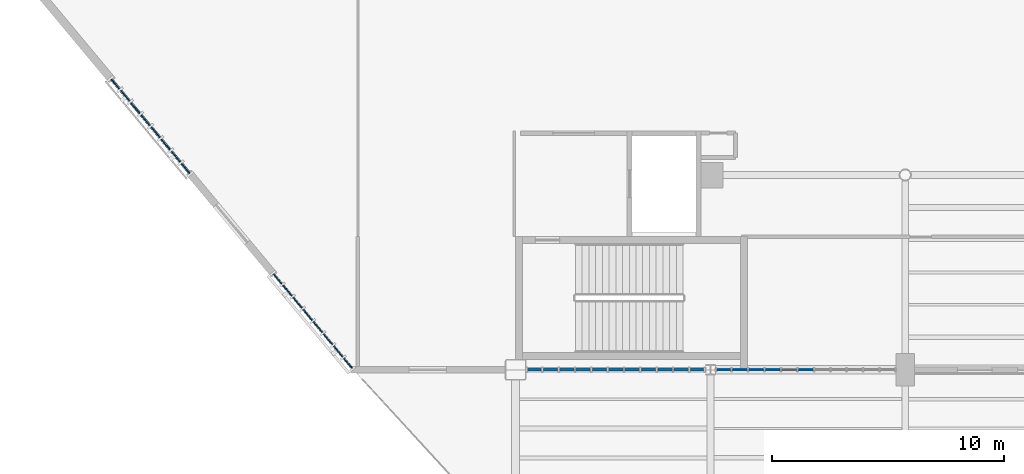
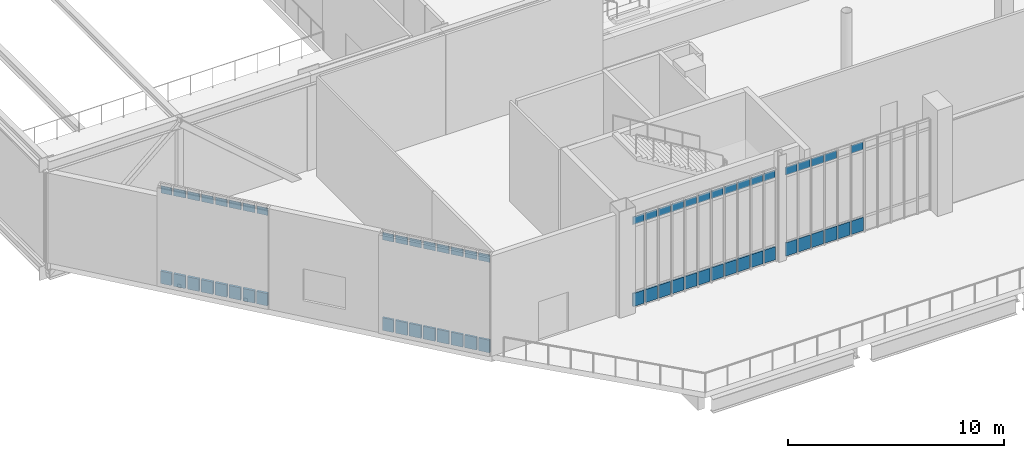
# One storey, part 82 of 135: 65 plates, 4 elements without a shape of their own.
"""IFC4 building model written with IfcOpenShell, lengths in metres."""

from ifc_helpers import new_model, si_unit, direction, frame, origin, origin_2d, place, context, subcontext, project, spatial, rectangle, extrude, material, layer, layer_set, type_object, element, aggregate, save


model = new_model("IFC4")

# Units and contexts
model_context = context("Model", 3, precision=1e-05, world=origin(), true_north=direction((0.0, 1.0)))
body_context = subcontext(model_context, "Body", "Model", "MODEL_VIEW")
ifc_project = project(units=[si_unit("LENGTHUNIT", "METRE"), si_unit("AREAUNIT", "SQUARE_METRE"), si_unit("VOLUMEUNIT", "CUBIC_METRE"), si_unit("PLANEANGLEUNIT", "RADIAN"), si_unit("MASSUNIT", "GRAM", prefix="KILO")], contexts=[model_context])

# Site, building, storey
site_placement = place(None, origin())
site = spatial("IfcSite", under=ifc_project, at=site_placement, CompositionType="ELEMENT")
building_placement = place(site_placement, origin())
building = spatial("IfcBuilding", under=site, at=building_placement, Name="Larkvane Passage Sports Hall", CompositionType="ELEMENT")
storey_placement = place(building_placement, frame((0.0, 0.0, 10.800048828125)))
storey = spatial("IfcBuildingStorey", under=building, at=storey_placement, Name="L02", CompositionType="ELEMENT", Elevation=10.800048828125)

# Curtain wall, plates
ifc_material_1 = material(Name="Thermally broken aluminium and low-E glazing", Category="aluminium")
curtain_wall_type_1 = type_object("IfcCurtainWallType", Name="CW-STICK-FOYER", PredefinedType="USERDEFINED", material=ifc_material_1)
curtain_wall_1_placement = place(storey_placement, origin())
curtain_wall_1 = element("IfcCurtainWall", 1, at=curtain_wall_1_placement, inside=storey, type_object=curtain_wall_type_1, Name="Curtain wall CW5-L02-090", ObjectType="STICK CURTAIN WALL", PredefinedType="USERDEFINED")
ifc_material_2 = material(Name="Fire-stopped shadow-box spandrel panel")
ifc_layer_1 = layer(ifc_material_2, 0.10498046875)
ifc_layer_set_1 = layer_set([ifc_layer_1], Name="Fire-stopped shadow-box spandrel panel")
plate_type_1 = type_object("IfcPlateType", Name="CWP-SPD-105", PredefinedType="CURTAIN_PANEL", material=ifc_layer_set_1)
plate_1_placement = place(storey_placement, frame((27.56689453125, 23.079833984375, 0.08984375), z_axis=(0.0, 0.0, 1.0), x_axis=(-0.640184399661, 0.7682212796, 0.0)))
plate_1 = element("IfcPlate", 2, at=plate_1_placement, type_object=plate_type_1, Name="CW-03 panel 1.1", PredefinedType="CURTAIN_PANEL", context=body_context, shape_type="SweptSolid", body=[
    extrude(rectangle(XDim=0.54833984375, YDim=0.10498046875, at=origin_2d()), origin(), (0.0, 0.0, 1.0), 0.715087890625),
])
plate_2_placement = place(storey_placement, frame((27.143798828125, 23.58740234375, 0.08984375), z_axis=(0.0, 0.0, 1.0), x_axis=(-0.640184399661, 0.7682212796, 0.0)))
plate_2 = element("IfcPlate", 3, at=plate_2_placement, type_object=plate_type_1, Name="CW-03 panel 2.1", PredefinedType="CURTAIN_PANEL", context=body_context, shape_type="SweptSolid", body=[
    extrude(rectangle(XDim=0.593505859375, YDim=0.10498046875, at=origin_2d()), origin(), (0.0, 0.0, 1.0), 0.715087890625),
])
plate_3_placement = place(storey_placement, frame((26.706298828125, 24.112548828125, 0.08984375), z_axis=(0.0, 0.0, 1.0), x_axis=(-0.640184399661, 0.7682212796, 0.0)))
plate_3 = element("IfcPlate", 4, at=plate_3_placement, type_object=plate_type_1, Name="CW-03 panel 3.1", PredefinedType="CURTAIN_PANEL", context=body_context, shape_type="SweptSolid", body=[
    extrude(rectangle(XDim=0.593505859375, YDim=0.10498046875, at=origin_2d()), origin(), (0.0, 0.0, 1.0), 0.715087890625),
])
plate_4_placement = place(storey_placement, frame((26.268798828125, 24.637451171875, 0.08984375), z_axis=(0.0, 0.0, 1.0), x_axis=(-0.640184399661, 0.7682212796, 0.0)))
plate_4 = element("IfcPlate", 5, at=plate_4_placement, type_object=plate_type_1, Name="CW-03 panel 4.1", PredefinedType="CURTAIN_PANEL", context=body_context, shape_type="SweptSolid", body=[
    extrude(rectangle(XDim=0.593505859375, YDim=0.10498046875, at=origin_2d()), origin(), (0.0, 0.0, 1.0), 0.715087890625),
])
plate_5_placement = place(storey_placement, frame((25.831298828125, 25.16259765625, 0.08984375), z_axis=(0.0, 0.0, 1.0), x_axis=(-0.640184399661, 0.7682212796, 0.0)))
plate_5 = element("IfcPlate", 6, at=plate_5_placement, type_object=plate_type_1, Name="CW-03 panel 5.1", PredefinedType="CURTAIN_PANEL", context=body_context, shape_type="SweptSolid", body=[
    extrude(rectangle(XDim=0.593505859375, YDim=0.10498046875, at=origin_2d()), origin(), (0.0, 0.0, 1.0), 0.715087890625),
])
plate_6_placement = place(storey_placement, frame((25.393798828125, 25.6875, 0.08984375), z_axis=(0.0, 0.0, 1.0), x_axis=(-0.640184399661, 0.7682212796, 0.0)))
plate_6 = element("IfcPlate", 7, at=plate_6_placement, type_object=plate_type_1, Name="CW-03 panel 6.1", PredefinedType="CURTAIN_PANEL", context=body_context, shape_type="SweptSolid", body=[
    extrude(rectangle(XDim=0.593505859375, YDim=0.10498046875, at=origin_2d()), origin(), (0.0, 0.0, 1.0), 0.715087890625),
])
plate_7_placement = place(storey_placement, frame((24.956298828125, 26.21240234375, 0.08984375), z_axis=(0.0, 0.0, 1.0), x_axis=(-0.640184399661, 0.7682212796, 0.0)))
plate_7 = element("IfcPlate", 8, at=plate_7_placement, type_object=plate_type_1, Name="CW-03 panel 7.1", PredefinedType="CURTAIN_PANEL", context=body_context, shape_type="SweptSolid", body=[
    extrude(rectangle(XDim=0.593505859375, YDim=0.10498046875, at=origin_2d()), origin(), (0.0, 0.0, 1.0), 0.715087890625),
])
plate_8_placement = place(storey_placement, frame((24.533203125, 26.72021484375, 0.08984375), z_axis=(0.0, 0.0, 1.0), x_axis=(-0.640184399661, 0.7682212796, 0.0)))
plate_8 = element("IfcPlate", 9, at=plate_8_placement, type_object=plate_type_1, Name="CW-03 panel 8.1", PredefinedType="CURTAIN_PANEL", context=body_context, shape_type="SweptSolid", body=[
    extrude(rectangle(XDim=0.54833984375, YDim=0.10498046875, at=origin_2d()), origin(), (0.0, 0.0, 1.0), 0.715087890625),
])

curtain_wall_type_2 = type_object("IfcCurtainWallType", Name="CW-CLINIC", PredefinedType="USERDEFINED", material=ifc_material_1)
curtain_wall_2_placement = place(storey_placement, origin())
curtain_wall_2 = element("IfcCurtainWall", 10, at=curtain_wall_2_placement, inside=storey, type_object=curtain_wall_type_2, Name="Curtain wall CW5-L02-091", ObjectType="UNITISED CURTAIN WALL", PredefinedType="USERDEFINED")
ifc_material_3 = material(Name="Deep insulated facade spandrel panel")
ifc_layer_2 = layer(ifc_material_3, 0.125)
ifc_layer_set_2 = layer_set([ifc_layer_2], Name="Deep insulated facade spandrel panel")
plate_type_2 = type_object("IfcPlateType", Name="CWP-SPD-125", PredefinedType="CURTAIN_PANEL", material=ifc_layer_set_2)
plate_9_placement = place(storey_placement, frame((20.565185546875, 31.481689453125, 0.10009765625), z_axis=(0.0, 0.0, 1.0), x_axis=(-0.640184399661, 0.7682212796, 0.0)))
plate_9 = element("IfcPlate", 11, at=plate_9_placement, type_object=plate_type_2, Name="CW-05 panel 1.1", PredefinedType="CURTAIN_PANEL", context=body_context, shape_type="SweptSolid", body=[
    extrude(rectangle(XDim=0.533447265625, YDim=0.125, at=origin_2d()), origin(), (0.0, 0.0, 1.0), 0.699951171875),
])
plate_10_placement = place(storey_placement, frame((20.143798828125, 31.987548828125, 0.10009765625), z_axis=(0.0, 0.0, 1.0), x_axis=(-0.640184399661, 0.7682212796, 0.0)))
plate_10 = element("IfcPlate", 12, at=plate_10_placement, type_object=plate_type_2, Name="CW-05 panel 2.1", PredefinedType="CURTAIN_PANEL", context=body_context, shape_type="SweptSolid", body=[
    extrude(rectangle(XDim=0.58349609375, YDim=0.125, at=origin_2d()), origin(), (0.0, 0.0, 1.0), 0.699951171875),
])
plate_11_placement = place(storey_placement, frame((19.706298828125, 32.512451171875, 0.10009765625), z_axis=(0.0, 0.0, 1.0), x_axis=(-0.640184399661, 0.7682212796, 0.0)))
plate_11 = element("IfcPlate", 13, at=plate_11_placement, type_object=plate_type_2, Name="CW-05 panel 3.1", PredefinedType="CURTAIN_PANEL", context=body_context, shape_type="SweptSolid", body=[
    extrude(rectangle(XDim=0.58349609375, YDim=0.125, at=origin_2d()), origin(), (0.0, 0.0, 1.0), 0.699951171875),
])
plate_12_placement = place(storey_placement, frame((19.268798828125, 33.03759765625, 0.10009765625), z_axis=(0.0, 0.0, 1.0), x_axis=(-0.640184399661, 0.7682212796, 0.0)))
plate_12 = element("IfcPlate", 14, at=plate_12_placement, type_object=plate_type_2, Name="CW-05 panel 4.1", PredefinedType="CURTAIN_PANEL", context=body_context, shape_type="SweptSolid", body=[
    extrude(rectangle(XDim=0.58349609375, YDim=0.125, at=origin_2d()), origin(), (0.0, 0.0, 1.0), 0.699951171875),
])
plate_13_placement = place(storey_placement, frame((18.831298828125, 33.5625, 0.10009765625), z_axis=(0.0, 0.0, 1.0), x_axis=(-0.640184399661, 0.7682212796, 0.0)))
plate_13 = element("IfcPlate", 15, at=plate_13_placement, type_object=plate_type_2, Name="CW-05 panel 5.1", PredefinedType="CURTAIN_PANEL", context=body_context, shape_type="SweptSolid", body=[
    extrude(rectangle(XDim=0.58349609375, YDim=0.125, at=origin_2d()), origin(), (0.0, 0.0, 1.0), 0.699951171875),
])
plate_14_placement = place(storey_placement, frame((18.393798828125, 34.08740234375, 0.10009765625), z_axis=(0.0, 0.0, 1.0), x_axis=(-0.640184399661, 0.7682212796, 0.0)))
plate_14 = element("IfcPlate", 16, at=plate_14_placement, type_object=plate_type_2, Name="CW-05 panel 6.1", PredefinedType="CURTAIN_PANEL", context=body_context, shape_type="SweptSolid", body=[
    extrude(rectangle(XDim=0.58349609375, YDim=0.125, at=origin_2d()), origin(), (0.0, 0.0, 1.0), 0.699951171875),
])
plate_15_placement = place(storey_placement, frame((17.956298828125, 34.612548828125, 0.10009765625), z_axis=(0.0, 0.0, 1.0), x_axis=(-0.640184399661, 0.7682212796, 0.0)))
plate_15 = element("IfcPlate", 17, at=plate_15_placement, type_object=plate_type_2, Name="CW-05 panel 7.1", PredefinedType="CURTAIN_PANEL", context=body_context, shape_type="SweptSolid", body=[
    extrude(rectangle(XDim=0.58349609375, YDim=0.125, at=origin_2d()), origin(), (0.0, 0.0, 1.0), 0.699951171875),
])
plate_16_placement = place(storey_placement, frame((17.53466796875, 35.118408203125, 0.10009765625), z_axis=(0.0, 0.0, 1.0), x_axis=(-0.640184399661, 0.7682212796, 0.0)))
plate_16 = element("IfcPlate", 18, at=plate_16_placement, type_object=plate_type_2, Name="CW-05 panel 8.1", PredefinedType="CURTAIN_PANEL", context=body_context, shape_type="SweptSolid", body=[
    extrude(rectangle(XDim=0.533447265625, YDim=0.125, at=origin_2d()), origin(), (0.0, 0.0, 1.0), 0.699951171875),
])

curtain_wall_type_3 = type_object("IfcCurtainWallType", Name="CW-UNIT-COURT", PredefinedType="USERDEFINED", material=ifc_material_1)
curtain_wall_3_placement = place(storey_placement, origin())
curtain_wall_3 = element("IfcCurtainWall", 19, at=curtain_wall_3_placement, inside=storey, type_object=curtain_wall_type_3, Name="Curtain wall CW5-L02-088", ObjectType="UNITISED CURTAIN WALL", PredefinedType="USERDEFINED")
ifc_material_4 = material(Name="Insulated aluminium spandrel panel", Category="aluminium")
ifc_layer_3 = layer(ifc_material_4, 0.06494140625)
ifc_layer_set_3 = layer_set([ifc_layer_3], Name="Insulated aluminium spandrel panel")
plate_type_3 = type_object("IfcPlateType", Name="CWP-SPD-65", PredefinedType="CURTAIN_PANEL", material=ifc_layer_set_3)
plate_17_placement = place(storey_placement, frame((47.30419921875, 22.800048828125, 0.06494140625), z_axis=(0.0, 0.0, 1.0), x_axis=(-1.0, 0.0, 0.0)))
plate_17 = element("IfcPlate", 20, at=plate_17_placement, type_object=plate_type_3, Name="CW-01 panel 6.1", PredefinedType="CURTAIN_PANEL", context=body_context, shape_type="SweptSolid", body=[
    extrude(rectangle(XDim=0.64404296875, YDim=0.06494140625, at=origin_2d()), origin(), (0.0, 0.0, 1.0), 0.75244140625),
])
plate_18_placement = place(storey_placement, frame((46.59521484375, 22.800048828125, 0.06494140625), z_axis=(0.0, 0.0, 1.0), x_axis=(-1.0, 0.0, 0.0)))
plate_18 = element("IfcPlate", 21, at=plate_18_placement, type_object=plate_type_3, Name="CW-01 panel 7.1", PredefinedType="CURTAIN_PANEL", context=body_context, shape_type="SweptSolid", body=[
    extrude(rectangle(XDim=0.64404296875, YDim=0.06494140625, at=origin_2d()), origin(), (0.0, 0.0, 1.0), 0.75244140625),
])
plate_19_placement = place(storey_placement, frame((45.88623046875, 22.800048828125, 0.06494140625), z_axis=(0.0, 0.0, 1.0), x_axis=(-1.0, 0.0, 0.0)))
plate_19 = element("IfcPlate", 22, at=plate_19_placement, type_object=plate_type_3, Name="CW-01 panel 8.1", PredefinedType="CURTAIN_PANEL", context=body_context, shape_type="SweptSolid", body=[
    extrude(rectangle(XDim=0.64404296875, YDim=0.06494140625, at=origin_2d()), origin(), (0.0, 0.0, 1.0), 0.75244140625),
])
plate_20_placement = place(storey_placement, frame((45.177001953125, 22.800048828125, 0.06494140625), z_axis=(0.0, 0.0, 1.0), x_axis=(-1.0, 0.0, 0.0)))
plate_20 = element("IfcPlate", 23, at=plate_20_placement, type_object=plate_type_3, Name="CW-01 panel 9.1", PredefinedType="CURTAIN_PANEL", context=body_context, shape_type="SweptSolid", body=[
    extrude(rectangle(XDim=0.64404296875, YDim=0.06494140625, at=origin_2d()), origin(), (0.0, 0.0, 1.0), 0.75244140625),
])
plate_21_placement = place(storey_placement, frame((44.468017578125, 22.800048828125, 0.06494140625), z_axis=(0.0, 0.0, 1.0), x_axis=(-1.0, 0.0, 0.0)))
plate_21 = element("IfcPlate", 24, at=plate_21_placement, type_object=plate_type_3, Name="CW-01 panel 10.1", PredefinedType="CURTAIN_PANEL", context=body_context, shape_type="SweptSolid", body=[
    extrude(rectangle(XDim=0.64404296875, YDim=0.06494140625, at=origin_2d()), origin(), (0.0, 0.0, 1.0), 0.75244140625),
])
plate_22_placement = place(storey_placement, frame((43.775390625, 22.800048828125, 0.06494140625), z_axis=(0.0, 0.0, 1.0), x_axis=(-1.0, 0.0, 0.0)))
plate_22 = element("IfcPlate", 25, at=plate_22_placement, type_object=plate_type_3, Name="CW-01 panel 11.1", PredefinedType="CURTAIN_PANEL", context=body_context, shape_type="SweptSolid", body=[
    extrude(rectangle(XDim=0.611572265625, YDim=0.06494140625, at=origin_2d()), origin(), (0.0, 0.0, 1.0), 0.75244140625),
])

curtain_wall_type_4 = type_object("IfcCurtainWallType", Name="CW-UNIT-VEIL", PredefinedType="USERDEFINED", material=ifc_material_1)
curtain_wall_4_placement = place(storey_placement, origin())
curtain_wall_4 = element("IfcCurtainWall", 26, at=curtain_wall_4_placement, inside=storey, type_object=curtain_wall_type_4, Name="Curtain wall CW5-L02-089", ObjectType="UNITISED CURTAIN WALL", PredefinedType="USERDEFINED")
ifc_material_5 = material(Name="Mineral-wool insulated spandrel cassette")
ifc_layer_4 = layer(ifc_material_5, 0.0849609375)
ifc_layer_set_4 = layer_set([ifc_layer_4], Name="Mineral-wool insulated spandrel cassette")
plate_type_4 = type_object("IfcPlateType", Name="CWP-SPD-85", PredefinedType="CURTAIN_PANEL", material=ifc_layer_set_4)
plate_23_placement = place(storey_placement, frame((42.62451171875, 22.800048828125, 0.07470703125), z_axis=(0.0, 0.0, 1.0), x_axis=(-1.0, 0.0, 0.0)))
plate_23 = element("IfcPlate", 27, at=plate_23_placement, type_object=plate_type_4, Name="CW-02 panel 1.1", PredefinedType="CURTAIN_PANEL", context=body_context, shape_type="SweptSolid", body=[
    extrude(rectangle(XDim=0.592041015625, YDim=0.0849609375, at=origin_2d()), origin(), (0.0, 0.0, 1.0), 0.737548828125),
])
plate_24_placement = place(storey_placement, frame((41.938720703125, 22.800048828125, 0.07470703125), z_axis=(0.0, 0.0, 1.0), x_axis=(-1.0, 0.0, 0.0)))
plate_24 = element("IfcPlate", 28, at=plate_24_placement, type_object=plate_type_4, Name="CW-02 panel 2.1", PredefinedType="CURTAIN_PANEL", context=body_context, shape_type="SweptSolid", body=[
    extrude(rectangle(XDim=0.62939453125, YDim=0.0849609375, at=origin_2d()), origin(), (0.0, 0.0, 1.0), 0.737548828125),
])
plate_25_placement = place(storey_placement, frame((41.234130859375, 22.800048828125, 0.07470703125), z_axis=(0.0, 0.0, 1.0), x_axis=(-1.0, 0.0, 0.0)))
plate_25 = element("IfcPlate", 29, at=plate_25_placement, type_object=plate_type_4, Name="CW-02 panel 3.1", PredefinedType="CURTAIN_PANEL", context=body_context, shape_type="SweptSolid", body=[
    extrude(rectangle(XDim=0.62939453125, YDim=0.0849609375, at=origin_2d()), origin(), (0.0, 0.0, 1.0), 0.737548828125),
])
plate_26_placement = place(storey_placement, frame((40.52978515625, 22.800048828125, 0.07470703125), z_axis=(0.0, 0.0, 1.0), x_axis=(-1.0, 0.0, 0.0)))
plate_26 = element("IfcPlate", 30, at=plate_26_placement, type_object=plate_type_4, Name="CW-02 panel 4.1", PredefinedType="CURTAIN_PANEL", context=body_context, shape_type="SweptSolid", body=[
    extrude(rectangle(XDim=0.62939453125, YDim=0.0849609375, at=origin_2d()), origin(), (0.0, 0.0, 1.0), 0.737548828125),
])
plate_27_placement = place(storey_placement, frame((39.8251953125, 22.800048828125, 0.07470703125), z_axis=(0.0, 0.0, 1.0), x_axis=(-1.0, 0.0, 0.0)))
plate_27 = element("IfcPlate", 31, at=plate_27_placement, type_object=plate_type_4, Name="CW-02 panel 5.1", PredefinedType="CURTAIN_PANEL", context=body_context, shape_type="SweptSolid", body=[
    extrude(rectangle(XDim=0.62939453125, YDim=0.0849609375, at=origin_2d()), origin(), (0.0, 0.0, 1.0), 0.737548828125),
])
plate_28_placement = place(storey_placement, frame((39.120849609375, 22.800048828125, 0.07470703125), z_axis=(0.0, 0.0, 1.0), x_axis=(-1.0, 0.0, 0.0)))
plate_28 = element("IfcPlate", 32, at=plate_28_placement, type_object=plate_type_4, Name="CW-02 panel 6.1", PredefinedType="CURTAIN_PANEL", context=body_context, shape_type="SweptSolid", body=[
    extrude(rectangle(XDim=0.62939453125, YDim=0.0849609375, at=origin_2d()), origin(), (0.0, 0.0, 1.0), 0.737548828125),
])
plate_29_placement = place(storey_placement, frame((38.416259765625, 22.800048828125, 0.07470703125), z_axis=(0.0, 0.0, 1.0), x_axis=(-1.0, 0.0, 0.0)))
plate_29 = element("IfcPlate", 33, at=plate_29_placement, type_object=plate_type_4, Name="CW-02 panel 7.1", PredefinedType="CURTAIN_PANEL", context=body_context, shape_type="SweptSolid", body=[
    extrude(rectangle(XDim=0.62939453125, YDim=0.0849609375, at=origin_2d()), origin(), (0.0, 0.0, 1.0), 0.737548828125),
])
plate_30_placement = place(storey_placement, frame((37.711669921875, 22.800048828125, 0.07470703125), z_axis=(0.0, 0.0, 1.0), x_axis=(-1.0, 0.0, 0.0)))
plate_30 = element("IfcPlate", 34, at=plate_30_placement, type_object=plate_type_4, Name="CW-02 panel 8.1", PredefinedType="CURTAIN_PANEL", context=body_context, shape_type="SweptSolid", body=[
    extrude(rectangle(XDim=0.62939453125, YDim=0.0849609375, at=origin_2d()), origin(), (0.0, 0.0, 1.0), 0.737548828125),
])
plate_31_placement = place(storey_placement, frame((37.00732421875, 22.800048828125, 0.07470703125), z_axis=(0.0, 0.0, 1.0), x_axis=(-1.0, 0.0, 0.0)))
plate_31 = element("IfcPlate", 35, at=plate_31_placement, type_object=plate_type_4, Name="CW-02 panel 9.1", PredefinedType="CURTAIN_PANEL", context=body_context, shape_type="SweptSolid", body=[
    extrude(rectangle(XDim=0.62939453125, YDim=0.0849609375, at=origin_2d()), origin(), (0.0, 0.0, 1.0), 0.737548828125),
])
plate_32_placement = place(storey_placement, frame((36.302734375, 22.800048828125, 0.07470703125), z_axis=(0.0, 0.0, 1.0), x_axis=(-1.0, 0.0, 0.0)))
plate_32 = element("IfcPlate", 36, at=plate_32_placement, type_object=plate_type_4, Name="CW-02 panel 10.1", PredefinedType="CURTAIN_PANEL", context=body_context, shape_type="SweptSolid", body=[
    extrude(rectangle(XDim=0.62939453125, YDim=0.0849609375, at=origin_2d()), origin(), (0.0, 0.0, 1.0), 0.737548828125),
])
plate_33_placement = place(storey_placement, frame((35.616943359375, 22.800048828125, 0.07470703125), z_axis=(0.0, 0.0, 1.0), x_axis=(-1.0, 0.0, 0.0)))
plate_33 = element("IfcPlate", 37, at=plate_33_placement, type_object=plate_type_4, Name="CW-02 panel 11.1", PredefinedType="CURTAIN_PANEL", context=body_context, shape_type="SweptSolid", body=[
    extrude(rectangle(XDim=0.592041015625, YDim=0.0849609375, at=origin_2d()), origin(), (0.0, 0.0, 1.0), 0.737548828125),
])

# Plate
ifc_material_6 = material(Name="Solar-control low-E double glazing", Category="glass")
ifc_layer_5 = layer(ifc_material_6, 0.028076171875)
ifc_layer_set_5 = layer_set([ifc_layer_5], Name="Solar-control low-E double glazing")
plate_type_5 = type_object("IfcPlateType", Name="CWP-VIS-28", PredefinedType="CURTAIN_PANEL", material=ifc_layer_set_5)
plate_34_placement = place(storey_placement, frame((47.30419921875, 22.800048828125, 4.63037109375), z_axis=(0.0, 0.0, 1.0), x_axis=(-1.0, 0.0, 0.0)))
plate_34 = element("IfcPlate", 38, at=plate_34_placement, type_object=plate_type_5, Name="CW-01 panel 6.3", PredefinedType="CURTAIN_PANEL", context=body_context, shape_type="SweptSolid", body=[
    extrude(rectangle(XDim=0.64404296875, YDim=0.028076171875, at=origin_2d()), origin(), (0.0, 0.0, 1.0), 0.452392578125),
])

plate_35_placement = place(storey_placement, frame((45.88623046875, 22.800048828125, 4.63037109375), z_axis=(0.0, 0.0, 1.0), x_axis=(-1.0, 0.0, 0.0)))
plate_35 = element("IfcPlate", 39, at=plate_35_placement, type_object=plate_type_5, Name="CW-01 panel 8.3", PredefinedType="CURTAIN_PANEL", context=body_context, shape_type="SweptSolid", body=[
    extrude(rectangle(XDim=0.64404296875, YDim=0.028076171875, at=origin_2d()), origin(), (0.0, 0.0, 1.0), 0.452392578125),
])

plate_36_placement = place(storey_placement, frame((45.177001953125, 22.800048828125, 4.63037109375), z_axis=(0.0, 0.0, 1.0), x_axis=(-1.0, 0.0, 0.0)))
plate_36 = element("IfcPlate", 40, at=plate_36_placement, type_object=plate_type_5, Name="CW-01 panel 9.3", PredefinedType="CURTAIN_PANEL", context=body_context, shape_type="SweptSolid", body=[
    extrude(rectangle(XDim=0.64404296875, YDim=0.028076171875, at=origin_2d()), origin(), (0.0, 0.0, 1.0), 0.452392578125),
])

plate_37_placement = place(storey_placement, frame((44.468017578125, 22.800048828125, 4.63037109375), z_axis=(0.0, 0.0, 1.0), x_axis=(-1.0, 0.0, 0.0)))
plate_37 = element("IfcPlate", 41, at=plate_37_placement, type_object=plate_type_5, Name="CW-01 panel 10.3", PredefinedType="CURTAIN_PANEL", context=body_context, shape_type="SweptSolid", body=[
    extrude(rectangle(XDim=0.64404296875, YDim=0.028076171875, at=origin_2d()), origin(), (0.0, 0.0, 1.0), 0.452392578125),
])

plate_38_placement = place(storey_placement, frame((43.775390625, 22.800048828125, 4.63037109375), z_axis=(0.0, 0.0, 1.0), x_axis=(-1.0, 0.0, 0.0)))
plate_38 = element("IfcPlate", 42, at=plate_38_placement, type_object=plate_type_5, Name="CW-01 panel 11.3", PredefinedType="CURTAIN_PANEL", context=body_context, shape_type="SweptSolid", body=[
    extrude(rectangle(XDim=0.611572265625, YDim=0.028076171875, at=origin_2d()), origin(), (0.0, 0.0, 1.0), 0.452392578125),
])

aggregate(curtain_wall_3, [plate_17, plate_34, plate_18, plate_19, plate_35, plate_20, plate_36, plate_21, plate_37, plate_22, plate_38])

ifc_material_7 = material(Name="Laminated acoustic low-E glazing", Category="glass")
ifc_layer_6 = layer(ifc_material_7, 0.031982421875)
ifc_layer_set_6 = layer_set([ifc_layer_6], Name="Laminated acoustic low-E glazing")
plate_type_6 = type_object("IfcPlateType", Name="CWP-VIS-32", PredefinedType="CURTAIN_PANEL", material=ifc_layer_set_6)
plate_39_placement = place(storey_placement, frame((42.62451171875, 22.800048828125, 4.685546875), z_axis=(0.0, 0.0, 1.0), x_axis=(-1.0, 0.0, 0.0)))
plate_39 = element("IfcPlate", 43, at=plate_39_placement, type_object=plate_type_6, Name="CW-02 panel 1.3", PredefinedType="CURTAIN_PANEL", context=body_context, shape_type="SweptSolid", body=[
    extrude(rectangle(XDim=0.592041015625, YDim=0.031982421875, at=origin_2d()), origin(), (0.0, 0.0, 1.0), 0.4375),
])

plate_40_placement = place(storey_placement, frame((41.938720703125, 22.800048828125, 4.685546875), z_axis=(0.0, 0.0, 1.0), x_axis=(-1.0, 0.0, 0.0)))
plate_40 = element("IfcPlate", 44, at=plate_40_placement, type_object=plate_type_6, Name="CW-02 panel 2.3", PredefinedType="CURTAIN_PANEL", context=body_context, shape_type="SweptSolid", body=[
    extrude(rectangle(XDim=0.62939453125, YDim=0.031982421875, at=origin_2d()), origin(), (0.0, 0.0, 1.0), 0.4375),
])

plate_41_placement = place(storey_placement, frame((41.234130859375, 22.800048828125, 4.685546875), z_axis=(0.0, 0.0, 1.0), x_axis=(-1.0, 0.0, 0.0)))
plate_41 = element("IfcPlate", 45, at=plate_41_placement, type_object=plate_type_6, Name="CW-02 panel 3.3", PredefinedType="CURTAIN_PANEL", context=body_context, shape_type="SweptSolid", body=[
    extrude(rectangle(XDim=0.62939453125, YDim=0.031982421875, at=origin_2d()), origin(), (0.0, 0.0, 1.0), 0.4375),
])

plate_42_placement = place(storey_placement, frame((40.52978515625, 22.800048828125, 4.685546875), z_axis=(0.0, 0.0, 1.0), x_axis=(-1.0, 0.0, 0.0)))
plate_42 = element("IfcPlate", 46, at=plate_42_placement, type_object=plate_type_6, Name="CW-02 panel 4.3", PredefinedType="CURTAIN_PANEL", context=body_context, shape_type="SweptSolid", body=[
    extrude(rectangle(XDim=0.62939453125, YDim=0.031982421875, at=origin_2d()), origin(), (0.0, 0.0, 1.0), 0.4375),
])

plate_43_placement = place(storey_placement, frame((39.8251953125, 22.800048828125, 4.685546875), z_axis=(0.0, 0.0, 1.0), x_axis=(-1.0, 0.0, 0.0)))
plate_43 = element("IfcPlate", 47, at=plate_43_placement, type_object=plate_type_6, Name="CW-02 panel 5.3", PredefinedType="CURTAIN_PANEL", context=body_context, shape_type="SweptSolid", body=[
    extrude(rectangle(XDim=0.62939453125, YDim=0.031982421875, at=origin_2d()), origin(), (0.0, 0.0, 1.0), 0.4375),
])

plate_44_placement = place(storey_placement, frame((39.120849609375, 22.800048828125, 4.685546875), z_axis=(0.0, 0.0, 1.0), x_axis=(-1.0, 0.0, 0.0)))
plate_44 = element("IfcPlate", 48, at=plate_44_placement, type_object=plate_type_6, Name="CW-02 panel 6.3", PredefinedType="CURTAIN_PANEL", context=body_context, shape_type="SweptSolid", body=[
    extrude(rectangle(XDim=0.62939453125, YDim=0.031982421875, at=origin_2d()), origin(), (0.0, 0.0, 1.0), 0.4375),
])

plate_45_placement = place(storey_placement, frame((38.416259765625, 22.800048828125, 4.685546875), z_axis=(0.0, 0.0, 1.0), x_axis=(-1.0, 0.0, 0.0)))
plate_45 = element("IfcPlate", 49, at=plate_45_placement, type_object=plate_type_6, Name="CW-02 panel 7.3", PredefinedType="CURTAIN_PANEL", context=body_context, shape_type="SweptSolid", body=[
    extrude(rectangle(XDim=0.62939453125, YDim=0.031982421875, at=origin_2d()), origin(), (0.0, 0.0, 1.0), 0.4375),
])

plate_46_placement = place(storey_placement, frame((37.711669921875, 22.800048828125, 4.685546875), z_axis=(0.0, 0.0, 1.0), x_axis=(-1.0, 0.0, 0.0)))
plate_46 = element("IfcPlate", 50, at=plate_46_placement, type_object=plate_type_6, Name="CW-02 panel 8.3", PredefinedType="CURTAIN_PANEL", context=body_context, shape_type="SweptSolid", body=[
    extrude(rectangle(XDim=0.62939453125, YDim=0.031982421875, at=origin_2d()), origin(), (0.0, 0.0, 1.0), 0.4375),
])

plate_47_placement = place(storey_placement, frame((37.00732421875, 22.800048828125, 4.685546875), z_axis=(0.0, 0.0, 1.0), x_axis=(-1.0, 0.0, 0.0)))
plate_47 = element("IfcPlate", 51, at=plate_47_placement, type_object=plate_type_6, Name="CW-02 panel 9.3", PredefinedType="CURTAIN_PANEL", context=body_context, shape_type="SweptSolid", body=[
    extrude(rectangle(XDim=0.62939453125, YDim=0.031982421875, at=origin_2d()), origin(), (0.0, 0.0, 1.0), 0.4375),
])

plate_48_placement = place(storey_placement, frame((36.302734375, 22.800048828125, 4.685546875), z_axis=(0.0, 0.0, 1.0), x_axis=(-1.0, 0.0, 0.0)))
plate_48 = element("IfcPlate", 52, at=plate_48_placement, type_object=plate_type_6, Name="CW-02 panel 10.3", PredefinedType="CURTAIN_PANEL", context=body_context, shape_type="SweptSolid", body=[
    extrude(rectangle(XDim=0.62939453125, YDim=0.031982421875, at=origin_2d()), origin(), (0.0, 0.0, 1.0), 0.4375),
])

plate_49_placement = place(storey_placement, frame((35.616943359375, 22.800048828125, 4.685546875), z_axis=(0.0, 0.0, 1.0), x_axis=(-1.0, 0.0, 0.0)))
plate_49 = element("IfcPlate", 53, at=plate_49_placement, type_object=plate_type_6, Name="CW-02 panel 11.3", PredefinedType="CURTAIN_PANEL", context=body_context, shape_type="SweptSolid", body=[
    extrude(rectangle(XDim=0.592041015625, YDim=0.031982421875, at=origin_2d()), origin(), (0.0, 0.0, 1.0), 0.4375),
])

aggregate(curtain_wall_4, [plate_23, plate_39, plate_24, plate_40, plate_25, plate_41, plate_26, plate_42, plate_27, plate_43, plate_28, plate_44, plate_29, plate_45, plate_30, plate_46, plate_31, plate_47, plate_32, plate_48, plate_33, plate_49])

ifc_material_8 = material(Name="High-impact court low-E glazing", Category="glass")
ifc_layer_7 = layer(ifc_material_8, 0.035888671875)
ifc_layer_set_7 = layer_set([ifc_layer_7], Name="High-impact court low-E glazing")
plate_type_7 = type_object("IfcPlateType", Name="CWP-VIS-36", PredefinedType="CURTAIN_PANEL", material=ifc_layer_set_7)
plate_50_placement = place(storey_placement, frame((27.56689453125, 23.079833984375, 5.175048828125), z_axis=(0.0, 0.0, 1.0), x_axis=(-0.640184399661, 0.7682212796, 0.0)))
plate_50 = element("IfcPlate", 54, at=plate_50_placement, type_object=plate_type_7, Name="CW-03 panel 1.3", PredefinedType="CURTAIN_PANEL", context=body_context, shape_type="SweptSolid", body=[
    extrude(rectangle(XDim=0.54833984375, YDim=0.035888671875, at=origin_2d()), origin(), (0.0, 0.0, 1.0), 0.4150390625),
])

plate_51_placement = place(storey_placement, frame((27.143798828125, 23.58740234375, 5.175048828125), z_axis=(0.0, 0.0, 1.0), x_axis=(-0.640184399661, 0.7682212796, 0.0)))
plate_51 = element("IfcPlate", 55, at=plate_51_placement, type_object=plate_type_7, Name="CW-03 panel 2.3", PredefinedType="CURTAIN_PANEL", context=body_context, shape_type="SweptSolid", body=[
    extrude(rectangle(XDim=0.593505859375, YDim=0.035888671875, at=origin_2d()), origin(), (0.0, 0.0, 1.0), 0.4150390625),
])

plate_52_placement = place(storey_placement, frame((26.706298828125, 24.112548828125, 5.175048828125), z_axis=(0.0, 0.0, 1.0), x_axis=(-0.640184399661, 0.7682212796, 0.0)))
plate_52 = element("IfcPlate", 56, at=plate_52_placement, type_object=plate_type_7, Name="CW-03 panel 3.3", PredefinedType="CURTAIN_PANEL", context=body_context, shape_type="SweptSolid", body=[
    extrude(rectangle(XDim=0.593505859375, YDim=0.035888671875, at=origin_2d()), origin(), (0.0, 0.0, 1.0), 0.4150390625),
])

plate_53_placement = place(storey_placement, frame((26.268798828125, 24.637451171875, 5.175048828125), z_axis=(0.0, 0.0, 1.0), x_axis=(-0.640184399661, 0.7682212796, 0.0)))
plate_53 = element("IfcPlate", 57, at=plate_53_placement, type_object=plate_type_7, Name="CW-03 panel 4.3", PredefinedType="CURTAIN_PANEL", context=body_context, shape_type="SweptSolid", body=[
    extrude(rectangle(XDim=0.593505859375, YDim=0.035888671875, at=origin_2d()), origin(), (0.0, 0.0, 1.0), 0.4150390625),
])

plate_54_placement = place(storey_placement, frame((25.831298828125, 25.16259765625, 5.175048828125), z_axis=(0.0, 0.0, 1.0), x_axis=(-0.640184399661, 0.7682212796, 0.0)))
plate_54 = element("IfcPlate", 58, at=plate_54_placement, type_object=plate_type_7, Name="CW-03 panel 5.3", PredefinedType="CURTAIN_PANEL", context=body_context, shape_type="SweptSolid", body=[
    extrude(rectangle(XDim=0.593505859375, YDim=0.035888671875, at=origin_2d()), origin(), (0.0, 0.0, 1.0), 0.4150390625),
])

plate_55_placement = place(storey_placement, frame((25.393798828125, 25.6875, 5.175048828125), z_axis=(0.0, 0.0, 1.0), x_axis=(-0.640184399661, 0.7682212796, 0.0)))
plate_55 = element("IfcPlate", 59, at=plate_55_placement, type_object=plate_type_7, Name="CW-03 panel 6.3", PredefinedType="CURTAIN_PANEL", context=body_context, shape_type="SweptSolid", body=[
    extrude(rectangle(XDim=0.593505859375, YDim=0.035888671875, at=origin_2d()), origin(), (0.0, 0.0, 1.0), 0.4150390625),
])

plate_56_placement = place(storey_placement, frame((24.956298828125, 26.21240234375, 5.175048828125), z_axis=(0.0, 0.0, 1.0), x_axis=(-0.640184399661, 0.7682212796, 0.0)))
plate_56 = element("IfcPlate", 60, at=plate_56_placement, type_object=plate_type_7, Name="CW-03 panel 7.3", PredefinedType="CURTAIN_PANEL", context=body_context, shape_type="SweptSolid", body=[
    extrude(rectangle(XDim=0.593505859375, YDim=0.035888671875, at=origin_2d()), origin(), (0.0, 0.0, 1.0), 0.4150390625),
])

plate_57_placement = place(storey_placement, frame((24.533203125, 26.72021484375, 5.175048828125), z_axis=(0.0, 0.0, 1.0), x_axis=(-0.640184399661, 0.7682212796, 0.0)))
plate_57 = element("IfcPlate", 61, at=plate_57_placement, type_object=plate_type_7, Name="CW-03 panel 8.3", PredefinedType="CURTAIN_PANEL", context=body_context, shape_type="SweptSolid", body=[
    extrude(rectangle(XDim=0.54833984375, YDim=0.035888671875, at=origin_2d()), origin(), (0.0, 0.0, 1.0), 0.4150390625),
])

aggregate(curtain_wall_1, [plate_1, plate_50, plate_2, plate_51, plate_3, plate_52, plate_4, plate_53, plate_5, plate_54, plate_6, plate_55, plate_7, plate_56, plate_8, plate_57])

ifc_material_9 = material(Name="Triple-laminated typhoon glazing", Category="glass")
ifc_layer_8 = layer(ifc_material_9, 0.0419921875)
ifc_layer_set_8 = layer_set([ifc_layer_8], Name="Triple-laminated typhoon glazing")
plate_type_8 = type_object("IfcPlateType", Name="CWP-VIS-42", PredefinedType="CURTAIN_PANEL", material=ifc_layer_set_8)
plate_58_placement = place(storey_placement, frame((20.565185546875, 31.481689453125, 5.179931640625), z_axis=(0.0, 0.0, 1.0), x_axis=(-0.640184399661, 0.7682212796, 0.0)))
plate_58 = element("IfcPlate", 62, at=plate_58_placement, type_object=plate_type_8, Name="CW-05 panel 1.3", PredefinedType="CURTAIN_PANEL", context=body_context, shape_type="SweptSolid", body=[
    extrude(rectangle(XDim=0.533447265625, YDim=0.0419921875, at=origin_2d()), origin(), (0.0, 0.0, 1.0), 0.39990234375),
])

plate_59_placement = place(storey_placement, frame((20.143798828125, 31.987548828125, 5.179931640625), z_axis=(0.0, 0.0, 1.0), x_axis=(-0.640184399661, 0.7682212796, 0.0)))
plate_59 = element("IfcPlate", 63, at=plate_59_placement, type_object=plate_type_8, Name="CW-05 panel 2.3", PredefinedType="CURTAIN_PANEL", context=body_context, shape_type="SweptSolid", body=[
    extrude(rectangle(XDim=0.58349609375, YDim=0.0419921875, at=origin_2d()), origin(), (0.0, 0.0, 1.0), 0.39990234375),
])

plate_60_placement = place(storey_placement, frame((19.706298828125, 32.512451171875, 5.179931640625), z_axis=(0.0, 0.0, 1.0), x_axis=(-0.640184399661, 0.7682212796, 0.0)))
plate_60 = element("IfcPlate", 64, at=plate_60_placement, type_object=plate_type_8, Name="CW-05 panel 3.3", PredefinedType="CURTAIN_PANEL", context=body_context, shape_type="SweptSolid", body=[
    extrude(rectangle(XDim=0.58349609375, YDim=0.0419921875, at=origin_2d()), origin(), (0.0, 0.0, 1.0), 0.39990234375),
])

plate_61_placement = place(storey_placement, frame((19.268798828125, 33.03759765625, 5.179931640625), z_axis=(0.0, 0.0, 1.0), x_axis=(-0.640184399661, 0.7682212796, 0.0)))
plate_61 = element("IfcPlate", 65, at=plate_61_placement, type_object=plate_type_8, Name="CW-05 panel 4.3", PredefinedType="CURTAIN_PANEL", context=body_context, shape_type="SweptSolid", body=[
    extrude(rectangle(XDim=0.58349609375, YDim=0.0419921875, at=origin_2d()), origin(), (0.0, 0.0, 1.0), 0.39990234375),
])

plate_62_placement = place(storey_placement, frame((18.831298828125, 33.5625, 5.179931640625), z_axis=(0.0, 0.0, 1.0), x_axis=(-0.640184399661, 0.7682212796, 0.0)))
plate_62 = element("IfcPlate", 66, at=plate_62_placement, type_object=plate_type_8, Name="CW-05 panel 5.3", PredefinedType="CURTAIN_PANEL", context=body_context, shape_type="SweptSolid", body=[
    extrude(rectangle(XDim=0.58349609375, YDim=0.0419921875, at=origin_2d()), origin(), (0.0, 0.0, 1.0), 0.39990234375),
])

plate_63_placement = place(storey_placement, frame((18.393798828125, 34.08740234375, 5.179931640625), z_axis=(0.0, 0.0, 1.0), x_axis=(-0.640184399661, 0.7682212796, 0.0)))
plate_63 = element("IfcPlate", 67, at=plate_63_placement, type_object=plate_type_8, Name="CW-05 panel 6.3", PredefinedType="CURTAIN_PANEL", context=body_context, shape_type="SweptSolid", body=[
    extrude(rectangle(XDim=0.58349609375, YDim=0.0419921875, at=origin_2d()), origin(), (0.0, 0.0, 1.0), 0.39990234375),
])

plate_64_placement = place(storey_placement, frame((17.956298828125, 34.612548828125, 5.179931640625), z_axis=(0.0, 0.0, 1.0), x_axis=(-0.640184399661, 0.7682212796, 0.0)))
plate_64 = element("IfcPlate", 68, at=plate_64_placement, type_object=plate_type_8, Name="CW-05 panel 7.3", PredefinedType="CURTAIN_PANEL", context=body_context, shape_type="SweptSolid", body=[
    extrude(rectangle(XDim=0.58349609375, YDim=0.0419921875, at=origin_2d()), origin(), (0.0, 0.0, 1.0), 0.39990234375),
])

plate_65_placement = place(storey_placement, frame((17.53466796875, 35.118408203125, 5.179931640625), z_axis=(0.0, 0.0, 1.0), x_axis=(-0.640184399661, 0.7682212796, 0.0)))
plate_65 = element("IfcPlate", 69, at=plate_65_placement, type_object=plate_type_8, Name="CW-05 panel 8.3", PredefinedType="CURTAIN_PANEL", context=body_context, shape_type="SweptSolid", body=[
    extrude(rectangle(XDim=0.533447265625, YDim=0.0419921875, at=origin_2d()), origin(), (0.0, 0.0, 1.0), 0.39990234375),
])

aggregate(curtain_wall_2, [plate_9, plate_58, plate_10, plate_59, plate_11, plate_60, plate_12, plate_61, plate_13, plate_62, plate_14, plate_63, plate_15, plate_64, plate_16, plate_65])

save(model, "model.ifc")
